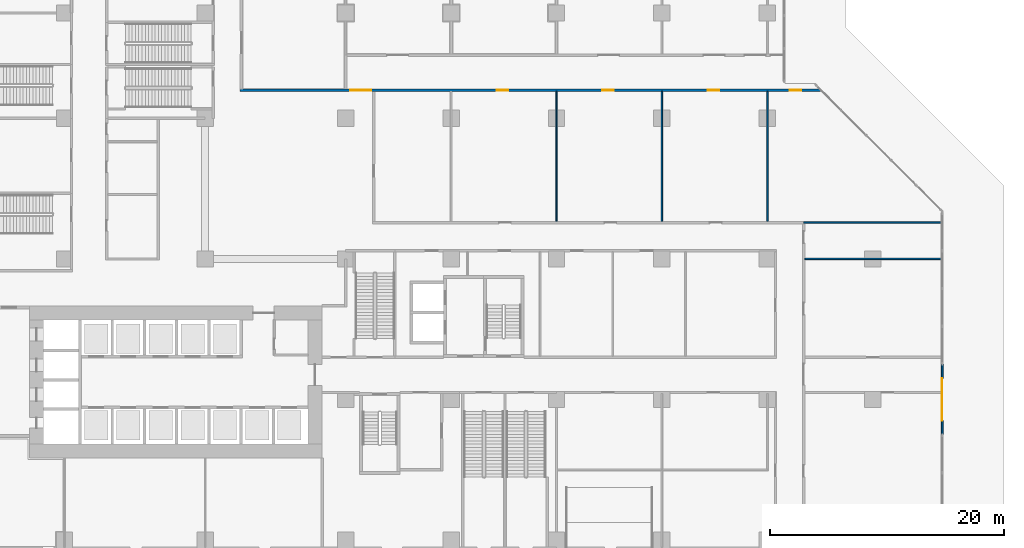
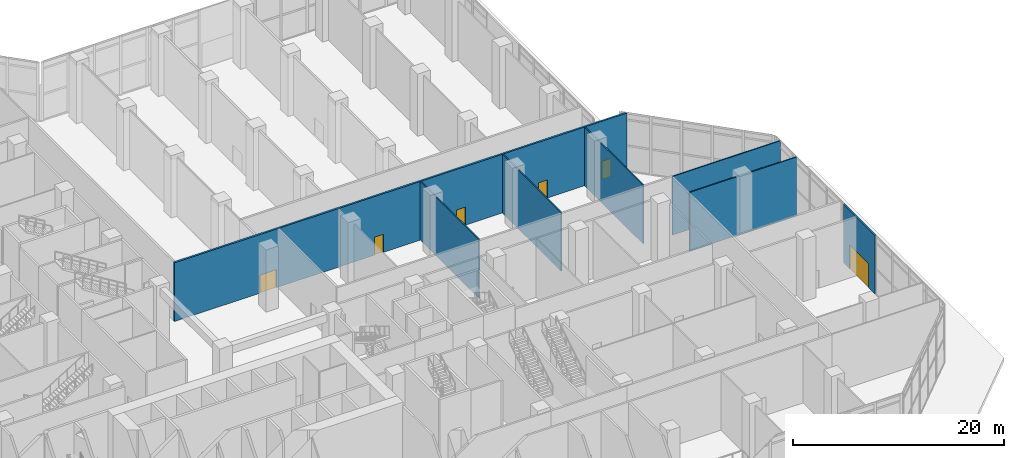
# One storey, part 23 of 34: 7 walls, 6 doors, 6 openings.
"""IFC4 building model written with IfcOpenShell, lengths in metres."""

from ifc_helpers import new_model, si_unit, direction, frame, frame_2d, origin, place, context, subcontext, project, spatial, rectangle, extrude, material, layer, layer_set, type_object, element, fill, save


model = new_model("IFC4")

# Units and contexts
model_context = context("Model", 3, precision=1e-05, world=origin(), true_north=direction((0.0, 1.0)))
body_context = subcontext(model_context, "Body", "Model", "MODEL_VIEW")
ifc_project = project(units=[si_unit("LENGTHUNIT", "METRE"), si_unit("AREAUNIT", "SQUARE_METRE"), si_unit("VOLUMEUNIT", "CUBIC_METRE"), si_unit("PLANEANGLEUNIT", "RADIAN"), si_unit("MASSUNIT", "GRAM", prefix="KILO")], contexts=[model_context])

# Site, building, storey
site_placement = place(None, origin())
site = spatial("IfcSite", under=ifc_project, at=site_placement, CompositionType="ELEMENT")
building_placement = place(site_placement, origin())
building = spatial("IfcBuilding", under=site, at=building_placement, Name="Chenar Terraces", CompositionType="ELEMENT")
storey_placement = place(building_placement, origin())
storey = spatial("IfcBuildingStorey", under=building, at=storey_placement, Name="L00", CompositionType="ELEMENT", Elevation=0.0)

# Walls
ifc_material_1 = material(Name="Gypsum board on steel studs with mineral wool", Category="steel")
ifc_layer_1 = layer(ifc_material_1, 0.125)
ifc_layer_set_1 = layer_set([ifc_layer_1], Name="Gypsum board on steel studs with mineral wool")
wall_type_1 = type_object("IfcWallType", Name="Acoustic partition 125", PredefinedType="PARTITIONING", material=ifc_layer_set_1)
for number, where, z_axis, x_axis, name in (
    (1, (54.0, 27.199951171875, 0.0), (0.0, 0.0, 1.0), (0.0, 1.0, 0.0), "Partition L00-118"),
    (2, (63.0, 27.199951171875, 0.0), (0.0, 0.0, 1.0), (0.0, 1.0, 0.0), "Partition L00-125"),
    (3, (72.0, 27.199951171875, 0.0), (0.0, 0.0, 1.0), (0.0, 1.0, 0.0), "Partition L00-130"),
):
    element("IfcWall", number, at=place(storey_placement, frame(where, z_axis=z_axis, x_axis=x_axis)), inside=storey, type_object=wall_type_1, Name=name, PredefinedType="PARTITIONING", context=body_context, shape_type="SweptSolid", body=[
        extrude(rectangle(XDim=11.10009765625, YDim=0.125, at=frame_2d((5.550048828125, 0.0))), origin(), (0.0, 0.0, 1.0), 6.800048828125),
    ])
wall_1_placement = place(storey_placement, frame((75.10009765625, 27.10009765625, 0.0), z_axis=(0.0, 0.0, 1.0), x_axis=(1.0, 0.0, 0.0)))
element("IfcWall", 4, at=wall_1_placement, inside=storey, type_object=wall_type_1, Name="Partition L00-136", PredefinedType="PARTITIONING", context=body_context, shape_type="SweptSolid", body=[
    extrude(rectangle(XDim=11.824951171875, YDim=0.125, at=frame_2d((5.91259765625, 0.0))), origin(), (0.0, 0.0, 1.0), 6.800048828125),
])
wall_2_placement = place(storey_placement, frame((75.199951171875, 24.0, 0.0), z_axis=(0.0, 0.0, 1.0), x_axis=(1.0, 0.0, 0.0)))
element("IfcWall", 5, at=wall_2_placement, inside=storey, type_object=wall_type_1, Name="Partition L00-140", PredefinedType="PARTITIONING", context=body_context, shape_type="SweptSolid", body=[
    extrude(rectangle(XDim=11.72509765625, YDim=0.125, at=frame_2d((5.862548828125, 0.0))), origin(), (0.0, 0.0, 1.0), 6.800048828125),
])

# Wall, openings, doors
ifc_material_2 = material(Name="Gypsum board on steel studs with fire boards", Category="steel")
ifc_layer_2 = layer(ifc_material_2, 0.199951171875)
ifc_layer_set_2 = layer_set([ifc_layer_2], Name="Gypsum board on steel studs with fire boards")
wall_type_2 = type_object("IfcWallType", Name="Corridor wall 200", PredefinedType="PARTITIONING", material=ifc_layer_set_2)
wall_3_placement = place(storey_placement, frame((27.0, 38.39990234375, 0.0), z_axis=(0.0, 0.0, 1.0), x_axis=(1.0, 0.0, 0.0)))
wall_3 = element("IfcWall", 6, at=wall_3_placement, inside=storey, type_object=wall_type_2, Name="Partition L00-081", PredefinedType="PARTITIONING", context=body_context, shape_type="SweptSolid", body=[
    extrude(rectangle(XDim=49.5859375, YDim=0.199951171875, at=frame_2d((24.79296875, 0.0))), origin(), (0.0, 0.0, 1.0), 6.800048828125),
])
opening_1_placement = place(wall_3_placement, frame((21.89990234375, 0.0, 0.0)))
opening_1 = element("IfcOpeningElement", 7, at=opening_1_placement, cuts=wall_3, Name="Opening DL00-29", PredefinedType="OPENING", context=body_context, shape_type="SweptSolid", body=[
    extrude(rectangle(XDim=1.0, YDim=2.10009765625, at=frame_2d((0.5, 1.050048828125))), frame((0.0, 0.10986328125, 0.0), z_axis=(0.0, -1.0, 0.0), x_axis=(1.0, 0.0, 0.0)), (0.0, 0.0, 1.0), 0.219970703125),
])
opening_2_placement = place(wall_3_placement, frame((30.89990234375, 0.0, 0.0)))
opening_2 = element("IfcOpeningElement", 8, at=opening_2_placement, cuts=wall_3, Name="Opening DL00-31", PredefinedType="OPENING", context=body_context, shape_type="SweptSolid", body=[
    extrude(rectangle(XDim=1.0, YDim=2.10009765625, at=frame_2d((0.5, 1.050048828125))), frame((0.0, 0.10986328125, 0.0), z_axis=(0.0, -1.0, 0.0), x_axis=(1.0, 0.0, 0.0)), (0.0, 0.0, 1.0), 0.219970703125),
])
opening_3_placement = place(wall_3_placement, frame((39.89990234375, 0.0, 0.0)))
opening_3 = element("IfcOpeningElement", 9, at=opening_3_placement, cuts=wall_3, Name="Opening DL00-33", PredefinedType="OPENING", context=body_context, shape_type="SweptSolid", body=[
    extrude(rectangle(XDim=1.0, YDim=2.10009765625, at=frame_2d((0.5, 1.050048828125))), frame((0.0, 0.10986328125, 0.0), z_axis=(0.0, -1.0, 0.0), x_axis=(1.0, 0.0, 0.0)), (0.0, 0.0, 1.0), 0.219970703125),
])
opening_4_placement = place(wall_3_placement, frame((46.89990234375, 0.0, 0.0)))
opening_4 = element("IfcOpeningElement", 10, at=opening_4_placement, cuts=wall_3, Name="Opening DL00-34", PredefinedType="OPENING", context=body_context, shape_type="SweptSolid", body=[
    extrude(rectangle(XDim=1.0, YDim=2.10009765625, at=frame_2d((0.5, 1.050048828125))), frame((0.0, 0.10986328125, 0.0), z_axis=(0.0, -1.0, 0.0), x_axis=(1.0, 0.0, 0.0)), (0.0, 0.0, 1.0), 0.219970703125),
])
opening_5_placement = place(wall_3_placement, frame((9.39990234375, 0.0, 0.0)))
opening_5 = element("IfcOpeningElement", 11, at=opening_5_placement, cuts=wall_3, Name="Opening DL00-40", PredefinedType="OPENING", context=body_context, shape_type="SweptSolid", body=[
    extrude(rectangle(XDim=1.800048828125, YDim=2.10009765625, at=frame_2d((0.89990234375, 1.050048828125))), frame((0.0, 0.10986328125, 0.0), z_axis=(0.0, -1.0, 0.0), x_axis=(1.0, 0.0, 0.0)), (0.0, 0.0, 1.0), 0.219970703125),
])
ifc_material_3 = material(Name="Steel-framed fire-resisting door leaf", Category="steel")
door_type_1 = type_object("IfcDoorType", Name="Fire door FD60 1000 x 2100", OperationType="SINGLE_SWING_LEFT", PredefinedType="DOOR", material=ifc_material_3)
door_1_placement = place(opening_1_placement, frame((1.0, 0.0, 0.0), z_axis=(0.0, 0.0, 1.0), x_axis=(-1.0, 0.0, 0.0)))
door_1 = element("IfcDoor", 12, at=door_1_placement, inside=storey, type_object=door_type_1, Name="Door DL00-29", OperationType="SINGLE_SWING_RIGHT", OverallHeight=2.10009765625, OverallWidth=1.0, PredefinedType="DOOR", context=body_context, shape_type="SweptSolid", body=[
    extrude(rectangle(XDim=1.0, YDim=2.10009765625, at=frame_2d((0.5, 1.050048828125))), frame((0.0, 0.02490234375, 0.0), z_axis=(0.0, -1.0, 0.0), x_axis=(1.0, 0.0, 0.0)), (0.0, 0.0, 1.0), 0.050048828125),
])
fill(opening_1, door_1)
door_2_placement = place(opening_2_placement, frame((1.0, 0.0, 0.0), z_axis=(0.0, 0.0, 1.0), x_axis=(-1.0, 0.0, 0.0)))
door_2 = element("IfcDoor", 13, at=door_2_placement, inside=storey, type_object=door_type_1, Name="Door DL00-31", OperationType="SINGLE_SWING_RIGHT", OverallHeight=2.10009765625, OverallWidth=1.0, PredefinedType="DOOR", context=body_context, shape_type="SweptSolid", body=[
    extrude(rectangle(XDim=1.0, YDim=2.10009765625, at=frame_2d((0.5, 1.050048828125))), frame((0.0, 0.02490234375, 0.0), z_axis=(0.0, -1.0, 0.0), x_axis=(1.0, 0.0, 0.0)), (0.0, 0.0, 1.0), 0.050048828125),
])
fill(opening_2, door_2)
door_3_placement = place(opening_3_placement, frame((1.0, 0.0, 0.0), z_axis=(0.0, 0.0, 1.0), x_axis=(-1.0, 0.0, 0.0)))
door_3 = element("IfcDoor", 14, at=door_3_placement, inside=storey, type_object=door_type_1, Name="Door DL00-33", OperationType="SINGLE_SWING_RIGHT", OverallHeight=2.10009765625, OverallWidth=1.0, PredefinedType="DOOR", context=body_context, shape_type="SweptSolid", body=[
    extrude(rectangle(XDim=1.0, YDim=2.10009765625, at=frame_2d((0.5, 1.050048828125))), frame((0.0, 0.02490234375, 0.0), z_axis=(0.0, -1.0, 0.0), x_axis=(1.0, 0.0, 0.0)), (0.0, 0.0, 1.0), 0.050048828125),
])
fill(opening_3, door_3)
door_4_placement = place(opening_4_placement, origin())
door_4 = element("IfcDoor", 15, at=door_4_placement, inside=storey, type_object=door_type_1, Name="Door DL00-34", OperationType="SINGLE_SWING_LEFT", OverallHeight=2.10009765625, OverallWidth=1.0, PredefinedType="DOOR", context=body_context, shape_type="SweptSolid", body=[
    extrude(rectangle(XDim=1.0, YDim=2.10009765625, at=frame_2d((0.5, 1.050048828125))), frame((0.0, 0.02490234375, 0.0), z_axis=(0.0, -1.0, 0.0), x_axis=(1.0, 0.0, 0.0)), (0.0, 0.0, 1.0), 0.050048828125),
])
fill(opening_4, door_4)
ifc_material_4 = material(Name="Steel-framed fire-resisting door leaf", Category="steel")
door_type_2 = type_object("IfcDoorType", Name="Fire double door FD60 1800 x 2100", OperationType="DOUBLE_DOOR_SINGLE_SWING", PredefinedType="DOOR", material=ifc_material_4)
door_5_placement = place(opening_5_placement, origin())
door_5 = element("IfcDoor", 16, at=door_5_placement, inside=storey, type_object=door_type_2, Name="Door DL00-40", OperationType="DOUBLE_DOOR_SINGLE_SWING", OverallHeight=2.10009765625, OverallWidth=1.800048828125, PredefinedType="DOOR", context=body_context, shape_type="SweptSolid", body=[
    extrude(rectangle(XDim=1.800048828125, YDim=2.10009765625, at=frame_2d((0.89990234375, 1.050048828125))), frame((0.0, 0.02490234375, 0.0), z_axis=(0.0, -1.0, 0.0), x_axis=(1.0, 0.0, 0.0)), (0.0, 0.0, 1.0), 0.050048828125),
])
fill(opening_5, door_5)

# Wall, opening, door
ifc_material_5 = material(Name="Terracotta cladding on insulated backing", Category="masonry")
ifc_layer_3 = layer(ifc_material_5, 0.14990234375)
ifc_layer_set_3 = layer_set([ifc_layer_3], Name="Terracotta cladding on insulated backing")
wall_type_3 = type_object("IfcWallType", Name="Entrance wall 150", PredefinedType="SOLIDWALL", material=ifc_layer_set_3)
wall_4_placement = place(storey_placement, frame((86.925048828125, 9.0, 0.0), z_axis=(0.0, 0.0, 1.0), x_axis=(0.0, 1.0, 0.0)))
wall_4 = element("IfcWall", 17, at=wall_4_placement, inside=storey, type_object=wall_type_3, Name="Entrance wall", PredefinedType="SOLIDWALL", context=body_context, shape_type="SweptSolid", body=[
    extrude(rectangle(XDim=6.0, YDim=0.14990234375, at=frame_2d((3.0, 0.0))), origin(), (0.0, 0.0, 1.0), 6.800048828125),
])
opening_6_placement = place(wall_4_placement, frame((1.199951171875, 0.0, 0.0)))
opening_6 = element("IfcOpeningElement", 18, at=opening_6_placement, cuts=wall_4, Name="Opening DL00-E8", PredefinedType="OPENING", context=body_context, shape_type="SweptSolid", body=[
    extrude(rectangle(XDim=3.60009765625, YDim=2.800048828125, at=frame_2d((1.800048828125, 1.39990234375))), frame((0.0, 0.0849609375, 0.0), z_axis=(0.0, -1.0, 0.0), x_axis=(1.0, 0.0, 0.0)), (0.0, 0.0, 1.0), 0.169921875),
])
ifc_material_6 = material(Name="Low emissivity double glazing, aluminium frame", Category="aluminium")
door_type_3 = type_object("IfcDoorType", Name="Entrance door set 3600 x 2800", OperationType="DOUBLE_DOOR_SINGLE_SWING", PredefinedType="DOOR", material=ifc_material_6)
door_6_placement = place(opening_6_placement, frame((3.60009765625, 0.0, 0.0), z_axis=(0.0, 0.0, 1.0), x_axis=(-1.0, 0.0, 0.0)))
door_6 = element("IfcDoor", 19, at=door_6_placement, inside=storey, type_object=door_type_3, Name="Entrance door", OperationType="DOUBLE_DOOR_SINGLE_SWING", OverallHeight=2.800048828125, OverallWidth=3.60009765625, PredefinedType="DOOR", context=body_context, shape_type="SweptSolid", body=[
    extrude(rectangle(XDim=3.60009765625, YDim=2.800048828125, at=frame_2d((1.800048828125, 1.39990234375))), frame((0.0, 0.02490234375, 0.0), z_axis=(0.0, -1.0, 0.0), x_axis=(1.0, 0.0, 0.0)), (0.0, 0.0, 1.0), 0.050048828125),
])
fill(opening_6, door_6)

save(model, "model.ifc")
